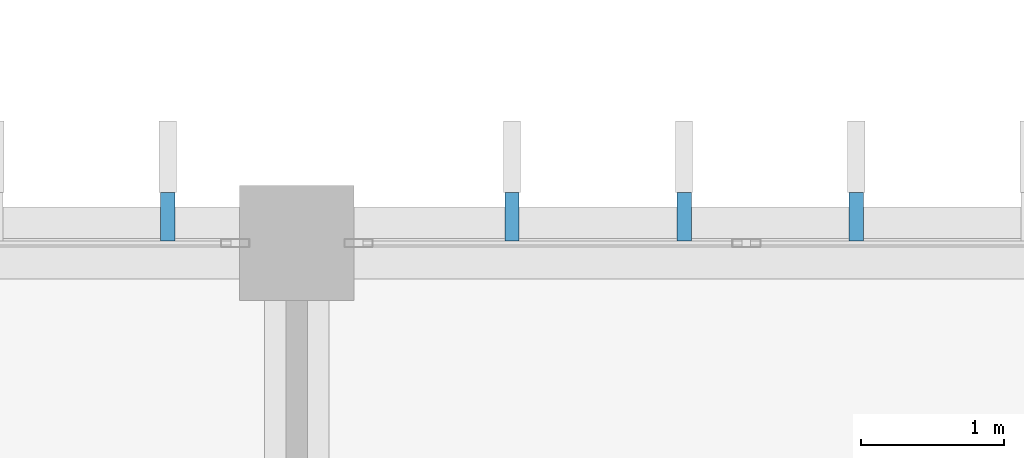
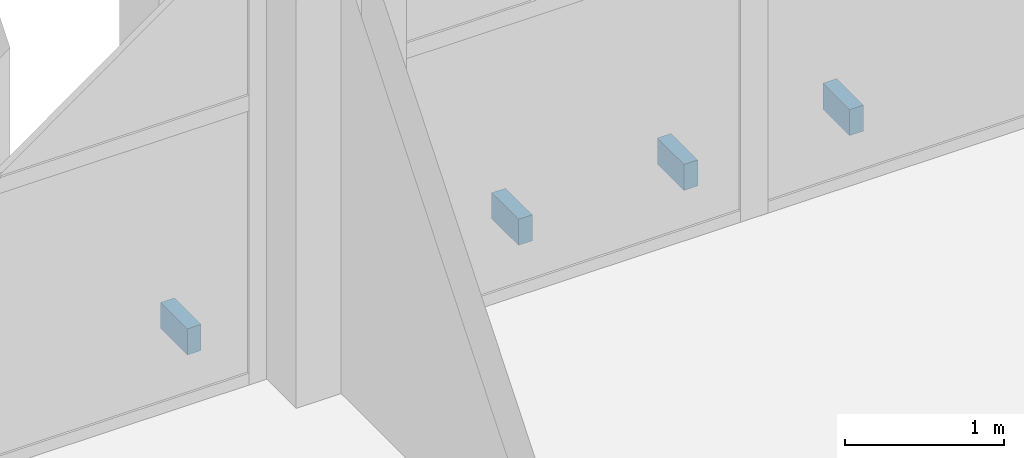
# One storey, part 161 of 185: 4 discrete accessories.
"""IFC4 building model written with IfcOpenShell, lengths in metres."""

from ifc_helpers import new_model, si_unit, direction, frame, origin, origin_2d, place, context, subcontext, project, spatial, rectangle, extrude, material, type_object, element, save


model = new_model("IFC4")

# Units and contexts
model_context = context("Model", 3, precision=1e-05, world=origin(), true_north=direction((0.0, 1.0)))
body_context = subcontext(model_context, "Body", "Model", "MODEL_VIEW")
ifc_project = project(units=[si_unit("LENGTHUNIT", "METRE"), si_unit("AREAUNIT", "SQUARE_METRE"), si_unit("VOLUMEUNIT", "CUBIC_METRE"), si_unit("PLANEANGLEUNIT", "RADIAN"), si_unit("MASSUNIT", "GRAM", prefix="KILO")], contexts=[model_context])

# Site, building, storey
site_placement = place(None, origin())
site = spatial("IfcSite", under=ifc_project, at=site_placement, CompositionType="ELEMENT")
building_placement = place(site_placement, origin())
building = spatial("IfcBuilding", under=site, at=building_placement, Name="Opaline Strait Convention Centre", CompositionType="ELEMENT")
storey_placement = place(building_placement, frame((0.0, 0.0, 6.0)))
storey = spatial("IfcBuildingStorey", under=building, at=storey_placement, Name="L01", CompositionType="ELEMENT", Elevation=6.0)

# Discrete accessories
ifc_material = material(Name="Stainless steel 304", Category="steel")
discrete_accessory_type = type_object("IfcDiscreteAccessoryType", Name="Fin bracket 150 stainless steel", PredefinedType="BRACKET", material=ifc_material)
for number, where, z_axis, x_axis, name in (
    (1, (323.10009765625, 180.181884765625, 0.35009765625), (0.0, 0.0, 1.0), (1.0, 0.0, 0.0), "Fin bracket"),
    (2, (325.5, 180.181884765625, 0.35009765625), (0.0, 0.0, 1.0), (1.0, 0.0, 0.0), "Fin bracket"),
    (3, (326.699951171875, 180.181884765625, 0.35009765625), (0.0, 0.0, 1.0), (1.0, 0.0, 0.0), "Fin bracket"),
    (4, (327.89990234375, 180.181884765625, 0.35009765625), (0.0, 0.0, 1.0), (1.0, 0.0, 0.0), "Fin bracket"),
):
    element("IfcDiscreteAccessory", number, at=place(storey_placement, frame(where, z_axis=z_axis, x_axis=x_axis)), inside=storey, type_object=discrete_accessory_type, Name=name, PredefinedType="BRACKET", context=body_context, shape_type="SweptSolid", body=[
        extrude(rectangle(XDim=0.10009765625, YDim=0.3359375, at=origin_2d()), origin(), (0.0, 0.0, 1.0), 0.199951171875),
    ])

save(model, "model.ifc")
